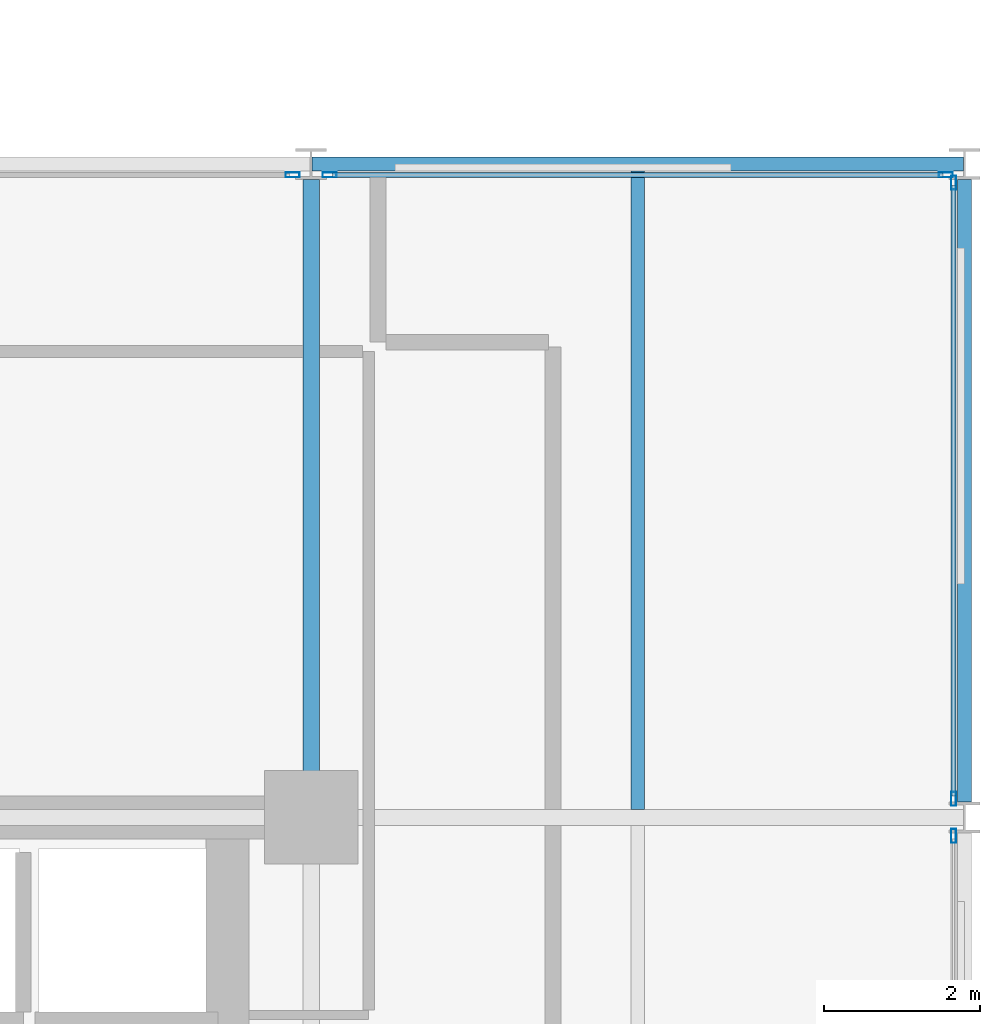
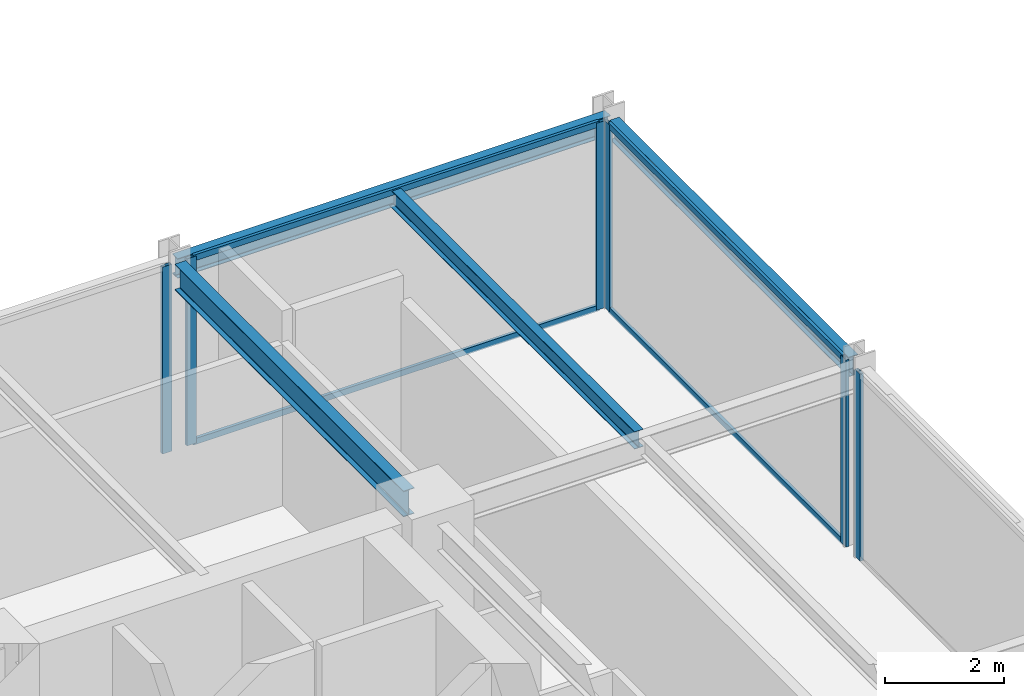
# One storey, part 15 of 29: 10 members, 4 beams, 4 elements without a shape of their own.
"""IFC4 building model written with IfcOpenShell, lengths in metres."""

import ifcopenshell
import ifcopenshell.guid

model = None  # the IFC model being written
_history = None  # IfcOwnerHistory: only IFC2X3 demands one
_inside = {}  # id of a spatial element -> (the spatial element, [elements in it])
_under = {}  # id of a project, library or spatial element -> (it, [spatial elements below it])
_declared = {}  # id of a project -> (the project, [libraries it declares])
_typed = {}  # id of a type object -> (the type object, [elements of that type])
_made_of = {}  # id of a material, layer set ... -> (it, [elements and type objects made of it])


def new_model(schema):
    """Start an empty IFC model of exactly this schema.

    Asked for "IFC4X3", IfcOpenShell would pick the latest addendum, in which some entities
    have other attributes; the version numbers below select the first issue.
    IFC2X3 requires an IfcOwnerHistory on every rooted entity: one is made here for all.
    """
    global model, _history
    if schema == "IFC4X3":
        model = ifcopenshell.file(schema_version=(4, 3, 0, 0))
    else:
        model = ifcopenshell.file(schema=schema)
    _inside.clear()
    _under.clear()
    _declared.clear()
    _typed.clear()
    _made_of.clear()
    _history = None
    if model.schema == "IFC2X3":
        org = make("IfcOrganization", Name="unknown")
        user = make(
            "IfcPersonAndOrganization",
            ThePerson=make("IfcPerson", FamilyName="unknown"),
            TheOrganization=org,
        )
        app = make(
            "IfcApplication",
            ApplicationDeveloper=org,
            Version="unknown",
            ApplicationFullName="unknown",
            ApplicationIdentifier="unknown",
        )
        _history = make(
            "IfcOwnerHistory",
            OwningUser=user,
            OwningApplication=app,
            ChangeAction="ADDED",
            CreationDate=0,
        )
    return model


def make(cls, **values):
    """One entity of the class cls with the attributes given. An attribute that is None is left unset."""
    return model.create_entity(
        cls, **{name: value for name, value in values.items() if value is not None}
    )


def rooted(cls, **values):
    """An entity with a GlobalId (a new one), such as an element, a storey or a relation."""
    return make(cls, GlobalId=ifcopenshell.guid.new(), OwnerHistory=_history, **values)


def si_unit(unit_type, name, prefix=None):
    """IfcSIUnit, for example si_unit("LENGTHUNIT", "METRE", prefix="MILLI")."""
    return make("IfcSIUnit", UnitType=unit_type, Prefix=prefix, Name=name)


def assignment(units):
    """IfcUnitAssignment: the units of a project."""
    return None if units is None else make("IfcUnitAssignment", Units=units)


def point(xyz):
    """IfcCartesianPoint."""
    return None if xyz is None else make("IfcCartesianPoint", Coordinates=xyz)


def direction(xyz):
    """IfcDirection."""
    return None if xyz is None else make("IfcDirection", DirectionRatios=xyz)


def frame(location, z_axis=None, x_axis=None):
    """IfcAxis2Placement3D, a coordinate frame: its origin and axes. An axis left out is left unset."""
    return make(
        "IfcAxis2Placement3D",
        Location=point(location),
        Axis=direction(z_axis),
        RefDirection=direction(x_axis),
    )


def frame_2d(location, x_axis=None):
    """IfcAxis2Placement2D, a coordinate frame in the plane: its origin and x axis."""
    return make(
        "IfcAxis2Placement2D", Location=point(location), RefDirection=direction(x_axis)
    )


def origin():
    """The frame at (0, 0, 0) with its axes left unset."""
    return frame((0.0, 0.0, 0.0))


def origin_2d():
    """The frame at (0, 0) in the plane with its x axis left unset."""
    return frame_2d((0.0, 0.0))


def place(relative_to, where):
    """IfcLocalPlacement: puts the frame where relative to a parent placement (None: the world)."""
    return make(
        "IfcLocalPlacement", PlacementRelTo=relative_to, RelativePlacement=where
    )


def context(
    kind, dimensions, precision=None, world=None, true_north=None, identifier=None
):
    """IfcGeometricRepresentationContext, for example the 3D "Model" context."""
    return make(
        "IfcGeometricRepresentationContext",
        ContextIdentifier=identifier,
        ContextType=kind,
        CoordinateSpaceDimension=dimensions,
        Precision=precision,
        WorldCoordinateSystem=world,
        TrueNorth=true_north,
    )


def subcontext(parent, identifier, kind, view, scale=None):
    """IfcGeometricRepresentationSubContext, for example "Body" below "Model"."""
    return make(
        "IfcGeometricRepresentationSubContext",
        ContextIdentifier=identifier,
        ContextType=kind,
        ParentContext=parent,
        TargetScale=scale,
        TargetView=view,
    )


def project(units=None, contexts=None):
    """IfcProject with its units and contexts."""
    return rooted(
        "IfcProject",
        Name="project",
        RepresentationContexts=contexts,
        UnitsInContext=assignment(units),
    )


def spatial(cls, under=None, at=None, **own):
    """A site, building, storey or space (cls), placed at a placement, below another one or the project."""
    s = rooted(cls, ObjectPlacement=at, **own)
    if under is not None:
        _under.setdefault(under.id(), (under, []))[1].append(s)
    return s


def profile(cls, at=None, kind="AREA", **sizes):
    """A parametric profile (cls). Its sizes go by their IFC names, for example OverallWidth=200.0."""
    return make(cls, ProfileType=kind, Position=at, **sizes)


def hollow_rectangle(**sizes):
    """IfcRectangleHollowProfileDef."""
    return profile("IfcRectangleHollowProfileDef", **sizes)


def i_section(**sizes):
    """IfcIShapeProfileDef."""
    return profile("IfcIShapeProfileDef", **sizes)


def extrude(swept, where, along, depth):
    """IfcExtrudedAreaSolid: the profile swept, set in the frame where, extruded along a direction by depth."""
    return make(
        "IfcExtrudedAreaSolid",
        SweptArea=swept,
        Position=where,
        ExtrudedDirection=direction(along),
        Depth=depth,
    )


def shape(context_of_items, identifier, shape_type, items):
    """IfcShapeRepresentation: the items that make up one representation, for example the "Body"."""
    return make(
        "IfcShapeRepresentation",
        ContextOfItems=context_of_items,
        RepresentationIdentifier=identifier,
        RepresentationType=shape_type,
        Items=items,
    )


def material(Name=None, Category=None):
    """IfcMaterial."""
    return make("IfcMaterial", Name=Name, Category=Category)


def layer(
    of_material, thickness, ventilated=None, Name=None, Category=None, Priority=None
):
    """IfcMaterialLayer: one layer of a wall or slab, of a material (None: an air gap)."""
    return make(
        "IfcMaterialLayer",
        Material=of_material,
        LayerThickness=thickness,
        IsVentilated=ventilated,
        Name=Name,
        Category=Category,
        Priority=Priority,
    )


def layer_set(layers, Name=None):
    """IfcMaterialLayerSet."""
    return make("IfcMaterialLayerSet", MaterialLayers=layers, LayerSetName=Name)


def material_profile(
    of_material, cross_section, Name=None, Category=None, Priority=None
):
    """IfcMaterialProfile: a cross section and its material."""
    return make(
        "IfcMaterialProfile",
        Name=Name,
        Material=of_material,
        Profile=cross_section,
        Priority=Priority,
        Category=Category,
    )


def profile_set(profiles, Name=None, composite=None):
    """IfcMaterialProfileSet."""
    return make(
        "IfcMaterialProfileSet",
        Name=Name,
        MaterialProfiles=profiles,
        CompositeProfile=composite,
    )


def made_of(thing, what):
    """Note that an element or type object is made of a material, layer set ...; save() writes the relation."""
    if what is not None:
        _made_of.setdefault(what.id(), (what, []))[1].append(thing)
    return thing


def type_object(cls, material=None, **own):
    """A type object (cls), such as IfcWallType, which elements share."""
    return made_of(rooted(cls, **own), material)


def element(
    cls,
    number,
    at=None,
    inside=None,
    cuts=None,
    type_object=None,
    material=None,
    context=None,
    identifier="Body",
    shape_type=None,
    held_by="IfcProductDefinitionShape",
    body=None,
    shapes=None,
    **own,
):
    """One element of the class cls, such as IfcWall. Its Tag is "e" and its number.

    at: its placement. inside: the storey or other place that contains it. cuts: it is an
    opening in that element (IfcRelVoidsElement). A single representation is given by context,
    identifier, shape_type and body (its items); several are given by shapes. held_by: the class
    of the entity that holds the representations. save() writes the other relations.
    """
    e = rooted(cls, Tag="e%d" % number, ObjectPlacement=at, **own)
    if body is not None:
        shapes = [shape(context, identifier, shape_type, body)]
    if shapes is not None:
        e.Representation = make(held_by, Representations=shapes)
    if inside is not None:
        _inside.setdefault(inside.id(), (inside, []))[1].append(e)
    if cuts is not None:
        rooted(
            "IfcRelVoidsElement", RelatingBuildingElement=cuts, RelatedOpeningElement=e
        )
    if type_object is not None:
        _typed.setdefault(type_object.id(), (type_object, []))[1].append(e)
    return made_of(e, material)


def aggregate(whole, parts):
    """IfcRelAggregates: a whole, such as a stair, and the parts it consists of."""
    return rooted("IfcRelAggregates", RelatingObject=whole, RelatedObjects=parts)


def save(model, path):
    """Write the relations noted so far, then the file.

    IfcRelAggregates (storeys below a building ...), IfcRelContainedInSpatialStructure (elements
    in a storey), IfcRelDefinesByType, IfcRelAssociatesMaterial and IfcRelDeclares: one each for
    every whole, place, type object, material and project.
    """
    for whole, parts in _under.values():
        aggregate(whole, parts)
    for where, things in _inside.values():
        rooted(
            "IfcRelContainedInSpatialStructure",
            RelatedElements=things,
            RelatingStructure=where,
        )
    for kind, things in _typed.values():
        rooted("IfcRelDefinesByType", RelatedObjects=things, RelatingType=kind)
    for what, things in _made_of.values():
        rooted("IfcRelAssociatesMaterial", RelatedObjects=things, RelatingMaterial=what)
    for by, libraries in _declared.values():
        rooted("IfcRelDeclares", RelatingContext=by, RelatedDefinitions=libraries)
    model.write(path)


model = new_model("IFC4")

# Units and contexts
model_context = context("Model", 3, precision=1e-05, world=origin(), true_north=direction((0.0, 1.0)))
body_context = subcontext(model_context, "Body", "Model", "MODEL_VIEW")
ifc_project = project(units=[si_unit("LENGTHUNIT", "METRE"), si_unit("AREAUNIT", "SQUARE_METRE"), si_unit("VOLUMEUNIT", "CUBIC_METRE"), si_unit("PLANEANGLEUNIT", "RADIAN"), si_unit("MASSUNIT", "GRAM", prefix="KILO")], contexts=[model_context])

# Site, building, storey
site_placement = place(None, origin())
site = spatial("IfcSite", under=ifc_project, at=site_placement, CompositionType="ELEMENT")
building_placement = place(site_placement, origin())
building = spatial("IfcBuilding", under=site, at=building_placement, Name="Nerrivon Quay Data Exchange", CompositionType="ELEMENT")
storey_placement = place(building_placement, frame((0.0, 0.0, 133.60009765625)))
storey = spatial("IfcBuildingStorey", under=building, at=storey_placement, Name="L31", CompositionType="ELEMENT", Elevation=133.60009765625)

# Beams
ifc_material_1 = material(Name="Steel Grade 350", Category="steel")
ifc_material_profile_1 = material_profile(ifc_material_1, i_section(OverallWidth=0.208984375, OverallDepth=0.528076171875, WebThickness=0.009521484375, FlangeThickness=0.01318359375, FilletRadius=0.013916015625, at=origin_2d()), Name="530UB82.0")
ifc_profile_set_1 = profile_set([ifc_material_profile_1], Name="Steel Grade 350")
beam_type_1 = type_object("IfcBeamType", Name="BM-G4-530UB82", PredefinedType="BEAM", material=ifc_profile_set_1)
beam_1_placement = place(storey_placement, frame((33.60009765625, 17.340087890625, 3.560791015625), z_axis=(0.0, 1.0, 0.0), x_axis=(-1.0, 0.0, 0.0)))
element("IfcBeam", 1, at=beam_1_placement, inside=storey, type_object=beam_type_1, Name="L31 NS Girder X=33.6 (16.8..25.2)", PredefinedType="BEAM", context=body_context, shape_type="SweptSolid", body=[
    extrude(i_section(OverallWidth=0.208984375, OverallDepth=0.528076171875, WebThickness=0.009521484375, FlangeThickness=0.01318359375, FilletRadius=0.013916015625, at=origin_2d()), origin(), (0.0, 0.0, 1.0), 7.659912109375),
])
ifc_material_profile_2 = material_profile(ifc_material_1, i_section(OverallWidth=0.1708984375, OverallDepth=0.35595703125, WebThickness=0.00732421875, FlangeThickness=0.011474609375, FilletRadius=0.011474609375, at=origin_2d()), Name="360UB50.7")
ifc_profile_set_2 = profile_set([ifc_material_profile_2], Name="Steel Grade 350")
beam_type_2 = type_object("IfcBeamType", Name="BM-J4-360UB51", PredefinedType="JOIST", material=ifc_profile_set_2)
beam_2_placement = place(storey_placement, frame((37.800048828125, 16.904541015625, 3.64697265625), z_axis=(0.0, 1.0, 0.0), x_axis=(-1.0, 0.0, 0.0)))
element("IfcBeam", 2, at=beam_2_placement, inside=storey, type_object=beam_type_2, Name="L31 Secondary Joist X=37.8 (16.8..25.2)", PredefinedType="JOIST", context=body_context, shape_type="SweptSolid", body=[
    extrude(i_section(OverallWidth=0.1708984375, OverallDepth=0.35595703125, WebThickness=0.00732421875, FlangeThickness=0.011474609375, FilletRadius=0.011474609375, at=origin_2d()), origin(), (0.0, 0.0, 1.0), 8.20654296875),
])
ifc_material_profile_3 = material_profile(ifc_material_1, i_section(OverallWidth=0.177978515625, OverallDepth=0.403076171875, WebThickness=0.007568359375, FlangeThickness=0.010986328125, FilletRadius=0.011474609375, at=origin_2d()), Name="410UB53.7")
ifc_profile_set_3 = profile_set([ifc_material_profile_3], Name="Steel Grade 350")
beam_type_3 = type_object("IfcBeamType", Name="BM-SP2-410UB54", PredefinedType="SPANDREL", material=ifc_profile_set_3)
beam_3_placement = place(storey_placement, frame((33.612548828125, 25.199951171875, 3.623291015625), z_axis=(1.0, 0.0, 0.0), x_axis=(0.0, 1.0, 0.0)))
element("IfcBeam", 3, at=beam_3_placement, inside=storey, type_object=beam_type_3, Name="L31 EW Girder Y=25.2 (33.6..42.0)", PredefinedType="SPANDREL", context=body_context, shape_type="SweptSolid", body=[
    extrude(i_section(OverallWidth=0.177978515625, OverallDepth=0.403076171875, WebThickness=0.007568359375, FlangeThickness=0.010986328125, FilletRadius=0.011474609375, at=origin_2d()), origin(), (0.0, 0.0, 1.0), 8.375),
])
beam_4_placement = place(storey_placement, frame((42.0, 17.0, 3.623291015625), z_axis=(0.0, 1.0, 0.0), x_axis=(-1.0, 0.0, 0.0)))
element("IfcBeam", 4, at=beam_4_placement, inside=storey, type_object=beam_type_3, Name="L31 NS Girder X=42.0 (16.8..25.2)", PredefinedType="SPANDREL", context=body_context, shape_type="SweptSolid", body=[
    extrude(i_section(OverallWidth=0.177978515625, OverallDepth=0.403076171875, WebThickness=0.007568359375, FlangeThickness=0.010986328125, FilletRadius=0.011474609375, at=origin_2d()), origin(), (0.0, 0.0, 1.0), 8.0),
])

# Curtain wall, member
ifc_material_2 = material(Name="Anodised aluminium 6063-T6", Category="aluminium")
ifc_layer = layer(ifc_material_2, 0.2099609375)
ifc_layer_set = layer_set([ifc_layer], Name="Anodised aluminium 6063-T6")
curtain_wall_type = type_object("IfcCurtainWallType", Name="CW-SYS-02", PredefinedType="NOTDEFINED", material=ifc_layer_set)
curtain_wall_1_placement = place(storey_placement, origin())
curtain_wall_1 = element("IfcCurtainWall", 5, at=curtain_wall_1_placement, inside=storey, type_object=curtain_wall_type, Name="L31 Unitised Curtain Wall 26", PredefinedType="NOTDEFINED")
ifc_material_profile_4 = material_profile(ifc_material_2, hollow_rectangle(XDim=0.06494140625, YDim=0.179931640625, WallThickness=0.00341796875, at=origin_2d()), Name="ALU-MULL-180x65")
ifc_profile_set_4 = profile_set([ifc_material_profile_4], Name="Anodised aluminium 6063-T6")
member_type_1 = type_object("IfcMemberType", Name="CWM-180x65", PredefinedType="MULLION", material=ifc_profile_set_4)
member_1_placement = place(storey_placement, frame((33.362548828125, 25.06005859375, 0.0), z_axis=(0.0, 0.0, 1.0), x_axis=(0.0, 1.0, 0.0)))
member_1 = element("IfcMember", 6, at=member_1_placement, type_object=member_type_1, Name="CW02 mullion 2", PredefinedType="MULLION", context=body_context, shape_type="SweptSolid", body=[
    extrude(hollow_rectangle(XDim=0.06494140625, YDim=0.179931640625, WallThickness=0.00341796875, at=origin_2d()), origin(), (0.0, 0.0, 1.0), 3.824951171875),
])
aggregate(curtain_wall_1, [member_1])

# Curtain wall, members
curtain_wall_2_placement = place(storey_placement, origin())
curtain_wall_2 = element("IfcCurtainWall", 7, at=curtain_wall_2_placement, inside=storey, type_object=curtain_wall_type, Name="L31 Unitised Curtain Wall 27", PredefinedType="NOTDEFINED")
member_2_placement = place(storey_placement, frame((33.83740234375, 25.06005859375, 0.0), z_axis=(0.0, 0.0, 1.0), x_axis=(0.0, 1.0, 0.0)))
member_2 = element("IfcMember", 8, at=member_2_placement, type_object=member_type_1, Name="CW02 mullion 1", PredefinedType="MULLION", context=body_context, shape_type="SweptSolid", body=[
    extrude(hollow_rectangle(XDim=0.06494140625, YDim=0.179931640625, WallThickness=0.00341796875, at=origin_2d()), origin(), (0.0, 0.0, 1.0), 3.824951171875),
])
member_3_placement = place(storey_placement, frame((41.762451171875, 25.06005859375, 0.0), z_axis=(0.0, 0.0, 1.0), x_axis=(0.0, 1.0, 0.0)))
member_3 = element("IfcMember", 9, at=member_3_placement, type_object=member_type_1, Name="CW02 mullion 2", PredefinedType="MULLION", context=body_context, shape_type="SweptSolid", body=[
    extrude(hollow_rectangle(XDim=0.06494140625, YDim=0.179931640625, WallThickness=0.00341796875, at=origin_2d()), origin(), (0.0, 0.0, 1.0), 3.824951171875),
])

curtain_wall_3_placement = place(storey_placement, origin())
curtain_wall_3 = element("IfcCurtainWall", 10, at=curtain_wall_3_placement, inside=storey, type_object=curtain_wall_type, Name="L31 Unitised Curtain Wall 28", PredefinedType="NOTDEFINED")
member_4_placement = place(storey_placement, frame((41.860107421875, 24.96240234375, 0.0), z_axis=(0.0, 0.0, 1.0), x_axis=(1.0, 0.0, 0.0)))
member_4 = element("IfcMember", 11, at=member_4_placement, type_object=member_type_1, Name="CW02 mullion 1", PredefinedType="MULLION", context=body_context, shape_type="SweptSolid", body=[
    extrude(hollow_rectangle(XDim=0.06494140625, YDim=0.179931640625, WallThickness=0.00341796875, at=origin_2d()), origin(), (0.0, 0.0, 1.0), 3.824951171875),
])
member_5_placement = place(storey_placement, frame((41.860107421875, 17.03759765625, 0.0), z_axis=(0.0, 0.0, 1.0), x_axis=(1.0, 0.0, 0.0)))
member_5 = element("IfcMember", 12, at=member_5_placement, type_object=member_type_1, Name="CW02 mullion 2", PredefinedType="MULLION", context=body_context, shape_type="SweptSolid", body=[
    extrude(hollow_rectangle(XDim=0.06494140625, YDim=0.179931640625, WallThickness=0.00341796875, at=origin_2d()), origin(), (0.0, 0.0, 1.0), 3.824951171875),
])

# Curtain wall, member
curtain_wall_4_placement = place(storey_placement, origin())
curtain_wall_4 = element("IfcCurtainWall", 13, at=curtain_wall_4_placement, inside=storey, type_object=curtain_wall_type, Name="L31 Unitised Curtain Wall 29", PredefinedType="NOTDEFINED")
member_6_placement = place(storey_placement, frame((41.860107421875, 16.5625, 0.0), z_axis=(0.0, 0.0, 1.0), x_axis=(1.0, 0.0, 0.0)))
member_6 = element("IfcMember", 14, at=member_6_placement, type_object=member_type_1, Name="CW02 mullion 1", PredefinedType="MULLION", context=body_context, shape_type="SweptSolid", body=[
    extrude(hollow_rectangle(XDim=0.06494140625, YDim=0.179931640625, WallThickness=0.00341796875, at=origin_2d()), origin(), (0.0, 0.0, 1.0), 3.824951171875),
])
aggregate(curtain_wall_4, [member_6])

# Member
ifc_material_profile_5 = material_profile(ifc_material_2, hollow_rectangle(XDim=0.06005859375, YDim=0.1201171875, WallThickness=0.003173828125, at=origin_2d()), Name="ALU-TRAN-120x60")
ifc_profile_set_5 = profile_set([ifc_material_profile_5], Name="Anodised aluminium 6063-T6")
member_type_2 = type_object("IfcMemberType", Name="CWT-120x60", PredefinedType="USERDEFINED", material=ifc_profile_set_5)
member_7_placement = place(storey_placement, frame((33.875, 25.06005859375, 0.032470703125), z_axis=(1.0, 0.0, 0.0), x_axis=(0.0, 1.0, 0.0)))
member_7 = element("IfcMember", 15, at=member_7_placement, type_object=member_type_2, Name="CW02 transom 1.1", ObjectType="TRANSOM", PredefinedType="USERDEFINED", context=body_context, shape_type="SweptSolid", body=[
    extrude(hollow_rectangle(XDim=0.06005859375, YDim=0.1201171875, WallThickness=0.003173828125, at=origin_2d()), origin(), (0.0, 0.0, 1.0), 7.85009765625),
])

member_8_placement = place(storey_placement, frame((33.875, 25.06005859375, 3.79248046875), z_axis=(1.0, 0.0, 0.0), x_axis=(0.0, 1.0, 0.0)))
member_8 = element("IfcMember", 16, at=member_8_placement, type_object=member_type_2, Name="CW02 transom 1.2", ObjectType="TRANSOM", PredefinedType="USERDEFINED", context=body_context, shape_type="SweptSolid", body=[
    extrude(hollow_rectangle(XDim=0.06005859375, YDim=0.1201171875, WallThickness=0.003173828125, at=origin_2d()), origin(), (0.0, 0.0, 1.0), 7.85009765625),
])

aggregate(curtain_wall_2, [member_2, member_3, member_7, member_8])

member_9_placement = place(storey_placement, frame((41.860107421875, 24.925048828125, 0.032470703125), z_axis=(0.0, -1.0, 0.0), x_axis=(1.0, 0.0, 0.0)))
member_9 = element("IfcMember", 17, at=member_9_placement, type_object=member_type_2, Name="CW02 transom 1.1", ObjectType="TRANSOM", PredefinedType="USERDEFINED", context=body_context, shape_type="SweptSolid", body=[
    extrude(hollow_rectangle(XDim=0.06005859375, YDim=0.1201171875, WallThickness=0.003173828125, at=origin_2d()), origin(), (0.0, 0.0, 1.0), 7.85009765625),
])

member_10_placement = place(storey_placement, frame((41.860107421875, 24.925048828125, 3.79248046875), z_axis=(0.0, -1.0, 0.0), x_axis=(1.0, 0.0, 0.0)))
member_10 = element("IfcMember", 18, at=member_10_placement, type_object=member_type_2, Name="CW02 transom 1.2", ObjectType="TRANSOM", PredefinedType="USERDEFINED", context=body_context, shape_type="SweptSolid", body=[
    extrude(hollow_rectangle(XDim=0.06005859375, YDim=0.1201171875, WallThickness=0.003173828125, at=origin_2d()), origin(), (0.0, 0.0, 1.0), 7.85009765625),
])

aggregate(curtain_wall_3, [member_4, member_5, member_9, member_10])

save(model, "model.ifc")
